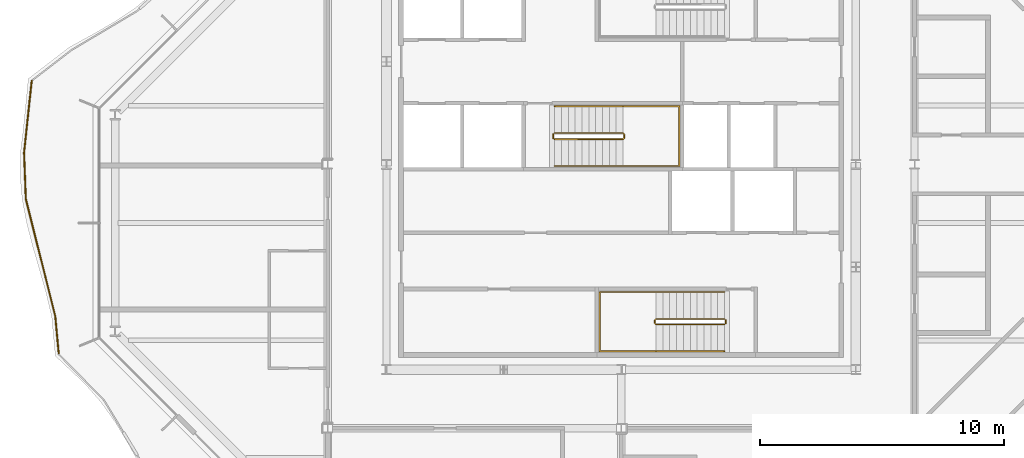
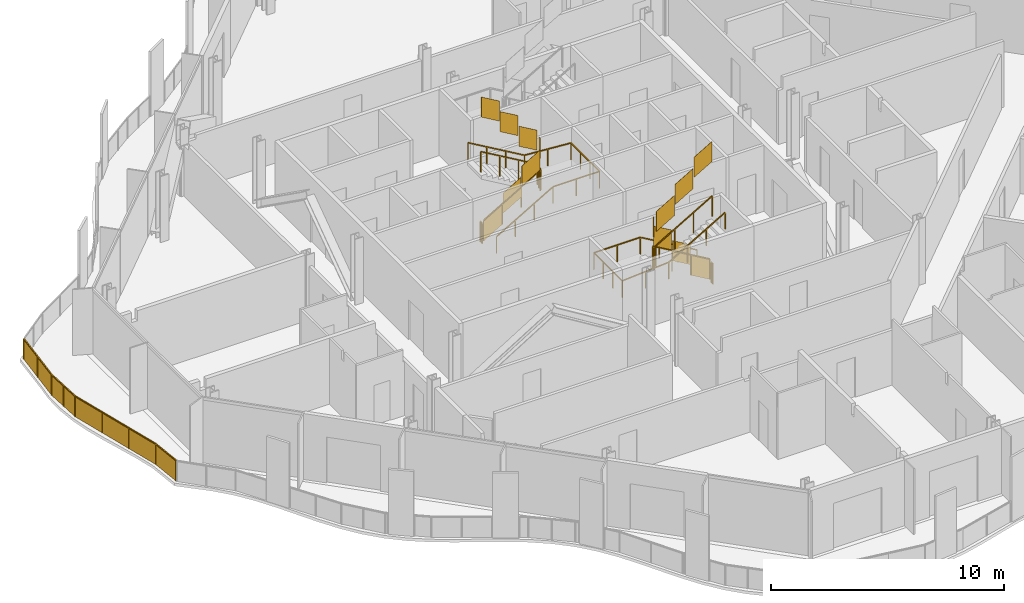
# One storey, part 14 of 17: 7 railings.
"""IFC4 building model written with IfcOpenShell, lengths in metres."""

from ifc_helpers import new_model, si_unit, direction, frame, origin, origin_2d, place, context, subcontext, project, spatial, polyline, rectangle, outline, extrude, material, type_object, element, save


model = new_model("IFC4")

# Units and contexts
model_context = context("Model", 3, precision=1e-05, world=origin(), true_north=direction((0.0, 1.0)))
body_context = subcontext(model_context, "Body", "Model", "MODEL_VIEW")
ifc_project = project(units=[si_unit("LENGTHUNIT", "METRE"), si_unit("AREAUNIT", "SQUARE_METRE"), si_unit("VOLUMEUNIT", "CUBIC_METRE"), si_unit("PLANEANGLEUNIT", "RADIAN"), si_unit("MASSUNIT", "GRAM", prefix="KILO")], contexts=[model_context])

# Site, building, storey
site_placement = place(None, origin())
site = spatial("IfcSite", under=ifc_project, at=site_placement, CompositionType="ELEMENT")
building_placement = place(site_placement, origin())
building = spatial("IfcBuilding", under=site, at=building_placement, Name="Cairn Pilgrim Tower", CompositionType="ELEMENT")
storey_placement = place(building_placement, frame((0.0, 0.0, 221.39990234375)))
storey = spatial("IfcBuildingStorey", under=building, at=storey_placement, Name="L56", CompositionType="ELEMENT", Elevation=221.39990234375)

# Railings
ifc_material_1 = material(Name="Bronze anodised aluminium rail and posts with laminated glass infill", Category="aluminium")
railing_type_1 = type_object("IfcRailingType", Name="BALCONY GUARD 1100", PredefinedType="GUARDRAIL", material=ifc_material_1)
railing_1_placement = place(storey_placement, frame((-16.9140625, 5.820556640625, 0.0)))
element("IfcRailing", 1, at=railing_1_placement, inside=storey, type_object=railing_type_1, Name="Balcony guard BG-6", PredefinedType="GUARDRAIL", context=body_context, shape_type="SweptSolid", body=[
    extrude(rectangle(XDim=0.050048828125, YDim=0.050048828125, at=origin_2d()), frame((0.0, 0.0, 1.0751953125), z_axis=(-0.105825935837, -0.994384669685, 0.0), x_axis=(0.994384669685, -0.105825935837, 0.0)), (0.0, 0.0, 1.0), 2.962158203125),
    extrude(rectangle(XDim=0.050048828125, YDim=0.050048828125, at=origin_2d()), frame((-0.3134765625, -2.945556640625, 1.0751953125), z_axis=(0.038136239622, -0.999272549021, 0.0), x_axis=(0.999272549021, 0.038136239622, 0.0)), (0.0, 0.0, 1.0), 1.89501953125),
    extrude(rectangle(XDim=0.050048828125, YDim=0.050048828125, at=origin_2d()), frame((-0.2412109375, -4.839111328125, 1.0751953125), z_axis=(0.243499699472, -0.969900972449, 0.0), x_axis=(0.969900972449, 0.243499699472, 0.0)), (0.0, 0.0, 1.0), 4.945068359375),
    extrude(rectangle(XDim=0.050048828125, YDim=0.050048828125, at=origin_2d()), frame((0.962890625, -9.63525390625, 1.0751953125), z_axis=(0.092507572588, -0.995711980953, 0.0), x_axis=(0.995711980953, 0.092507572588, 0.0)), (0.0, 0.0, 1.0), 1.5068359375),
    extrude(rectangle(XDim=0.050048828125, YDim=0.050048828125, at=origin_2d()), origin(), (0.0, 0.0, 1.0), 1.050048828125),
    extrude(rectangle(XDim=0.050048828125, YDim=0.050048828125, at=origin_2d()), frame((-0.15673828125, -1.47265625, 0.0)), (0.0, 0.0, 1.0), 1.050048828125),
    extrude(rectangle(XDim=0.050048828125, YDim=0.050048828125, at=origin_2d()), frame((-0.3134765625, -2.945556640625, 0.0)), (0.0, 0.0, 1.0), 1.050048828125),
    extrude(rectangle(XDim=0.050048828125, YDim=0.050048828125, at=origin_2d()), frame((-0.27734375, -3.892333984375, 0.0)), (0.0, 0.0, 1.0), 1.050048828125),
    extrude(rectangle(XDim=0.050048828125, YDim=0.050048828125, at=origin_2d()), frame((-0.2412109375, -4.839111328125, 0.0)), (0.0, 0.0, 1.0), 1.050048828125),
    extrude(rectangle(XDim=0.050048828125, YDim=0.050048828125, at=origin_2d()), frame((0.16015625, -6.437744140625, 0.0)), (0.0, 0.0, 1.0), 1.050048828125),
    extrude(rectangle(XDim=0.050048828125, YDim=0.050048828125, at=origin_2d()), frame((0.5615234375, -8.03662109375, 0.0)), (0.0, 0.0, 1.0), 1.050048828125),
    extrude(rectangle(XDim=0.050048828125, YDim=0.050048828125, at=origin_2d()), frame((0.962890625, -9.63525390625, 0.0)), (0.0, 0.0, 1.0), 1.050048828125),
    extrude(rectangle(XDim=0.050048828125, YDim=0.050048828125, at=origin_2d()), frame((1.102294921875, -11.1357421875, 0.0)), (0.0, 0.0, 1.0), 1.050048828125),
    extrude(outline(polyline([(0.02490234375, 0.0), (1.4560546875, 0.0), (1.4560546875, 1.050048828125), (0.02490234375, 1.050048828125), (0.02490234375, 0.0)])), frame((0.005859375, -0.000732421875, 0.0), z_axis=(-0.994384669685, 0.105825935837, 0.0), x_axis=(-0.105825935837, -0.994384669685, 0.0)), (0.0, 0.0, 1.0), 0.011962890625),
    extrude(outline(polyline([(0.02490234375, 0.0), (1.4560546875, 0.0), (1.4560546875, 1.050048828125), (0.02490234375, 1.050048828125), (0.02490234375, 0.0)])), frame((-0.15087890625, -1.473388671875, 0.0), z_axis=(-0.994384669685, 0.105825935837, 0.0), x_axis=(-0.105825935837, -0.994384669685, 0.0)), (0.0, 0.0, 1.0), 0.011962890625),
    extrude(outline(polyline([(0.02490234375, 0.0), (0.92236328125, 0.0), (0.92236328125, 1.050048828125), (0.02490234375, 1.050048828125), (0.02490234375, 0.0)])), frame((-0.3076171875, -2.9453125, 0.0), z_axis=(-0.999272549021, -0.038136239622, 0.0), x_axis=(0.038136239622, -0.999272549021, 0.0)), (0.0, 0.0, 1.0), 0.011962890625),
    extrude(outline(polyline([(0.02490234375, 0.0), (0.92236328125, 0.0), (0.92236328125, 1.050048828125), (0.02490234375, 1.050048828125), (0.02490234375, 0.0)])), frame((-0.271484375, -3.89208984375, 0.0), z_axis=(-0.999272549021, -0.038136239622, 0.0), x_axis=(0.038136239622, -0.999272549021, 0.0)), (0.0, 0.0, 1.0), 0.011962890625),
    extrude(outline(polyline([(0.02490234375, 0.0), (1.623291015625, 0.0), (1.623291015625, 1.050048828125), (0.02490234375, 1.050048828125), (0.02490234375, 0.0)])), frame((-0.2353515625, -4.837646484375, 0.0), z_axis=(-0.969900972449, -0.243499699472, 0.0), x_axis=(0.243499699472, -0.969900972449, 0.0)), (0.0, 0.0, 1.0), 0.011962890625),
    extrude(outline(polyline([(0.02490234375, 0.0), (1.623291015625, 0.0), (1.623291015625, 1.050048828125), (0.02490234375, 1.050048828125), (0.02490234375, 0.0)])), frame((0.166015625, -6.436279296875, 0.0), z_axis=(-0.969900972449, -0.243499699472, 0.0), x_axis=(0.243499699472, -0.969900972449, 0.0)), (0.0, 0.0, 1.0), 0.011962890625),
    extrude(outline(polyline([(0.02490234375, 0.0), (1.623291015625, 0.0), (1.623291015625, 1.050048828125), (0.02490234375, 1.050048828125), (0.02490234375, 0.0)])), frame((0.5673828125, -8.03515625, 0.0), z_axis=(-0.969900972449, -0.243499699472, 0.0), x_axis=(0.243499699472, -0.969900972449, 0.0)), (0.0, 0.0, 1.0), 0.011962890625),
    extrude(outline(polyline([(0.02490234375, 0.0), (1.48193359375, 0.0), (1.48193359375, 1.050048828125), (0.02490234375, 1.050048828125), (0.02490234375, 0.0)])), frame((0.96875, -9.634765625, 0.0), z_axis=(-0.995711980953, -0.092507572588, 0.0), x_axis=(0.092507572588, -0.995711980953, 0.0)), (0.0, 0.0, 1.0), 0.011962890625),
])
ifc_material_2 = material(Name="Painted steel", Category="steel")
railing_type_2 = type_object("IfcRailingType", Name="STAIR GUARD 1100", PredefinedType="GUARDRAIL", material=ifc_material_2)
railing_2_placement = place(storey_placement, frame((11.425048828125, -3.925048828125, 0.163818359375)))
element("IfcRailing", 2, at=railing_2_placement, inside=storey, type_object=railing_type_2, Name="L56 ST-A stair guard 1", PredefinedType="GUARDRAIL", context=body_context, shape_type="SweptSolid", body=[
    extrude(rectangle(XDim=0.048095703125, YDim=0.048095703125, at=origin_2d()), frame((0.0, 0.0, 1.076171875), z_axis=(-0.863393664356, 0.0, 0.504530851732), x_axis=(0.0, -1.0, 0.0)), (0.0, 0.0, 1.0), 3.2431640625),
    extrude(rectangle(XDim=0.048095703125, YDim=0.048095703125, at=origin_2d()), frame((-2.800048828125, 0.0, 2.71240234375), z_axis=(-0.707106781187, -0.707106781187, 0.0), x_axis=(0.707106781187, -0.707106781187, 0.0)), (0.0, 0.0, 1.0), 0.07080078125),
    extrude(rectangle(XDim=0.048095703125, YDim=0.048095703125, at=origin_2d()), frame((-2.85009765625, -0.050048828125, 2.71240234375), z_axis=(0.0, -1.0, 0.0), x_axis=(1.0, 0.0, 0.0)), (0.0, 0.0, 1.0), 0.125),
    extrude(rectangle(XDim=0.048095703125, YDim=0.048095703125, at=origin_2d()), frame((-2.85009765625, -0.175048828125, 2.71240234375), z_axis=(0.280916556609, -0.279546231943, 0.91811752648), x_axis=(0.705375805398, 0.708833529934, 0.0)), (0.0, 0.0, 1.0), 0.17822265625),
    extrude(rectangle(XDim=0.048095703125, YDim=0.048095703125, at=origin_2d()), frame((-2.800048828125, -0.224853515625, 2.8759765625), z_axis=(0.863360870873, 0.0, 0.504586966384), x_axis=(0.0, 1.0, 0.0)), (0.0, 0.0, 1.0), 3.2431640625),
    extrude(rectangle(XDim=0.0419921875, YDim=0.0419921875, at=origin_2d()), origin(), (0.0, 0.0, 1.0), 1.052001953125),
    extrude(rectangle(XDim=0.0419921875, YDim=0.0419921875, at=origin_2d()), frame((-0.933349609375, 0.0, 0.54541015625)), (0.0, 0.0, 1.0), 1.052001953125),
    extrude(rectangle(XDim=0.0419921875, YDim=0.0419921875, at=origin_2d()), frame((-1.86669921875, 0.0, 1.0908203125)), (0.0, 0.0, 1.0), 1.052001953125),
    extrude(rectangle(XDim=0.0419921875, YDim=0.0419921875, at=origin_2d()), frame((-2.800048828125, 0.0, 1.63623046875)), (0.0, 0.0, 1.0), 1.052001953125),
    extrude(rectangle(XDim=0.0419921875, YDim=0.0419921875, at=origin_2d()), frame((-2.85009765625, -0.050048828125, 1.63623046875)), (0.0, 0.0, 1.0), 1.052001953125),
    extrude(rectangle(XDim=0.0419921875, YDim=0.0419921875, at=origin_2d()), frame((-2.85009765625, -0.175048828125, 1.63623046875)), (0.0, 0.0, 1.0), 1.052001953125),
    extrude(rectangle(XDim=0.0419921875, YDim=0.0419921875, at=origin_2d()), frame((-2.800048828125, -0.224853515625, 1.7998046875)), (0.0, 0.0, 1.0), 1.052001953125),
    extrude(rectangle(XDim=0.0419921875, YDim=0.0419921875, at=origin_2d()), frame((-1.86669921875, -0.224853515625, 2.34521484375)), (0.0, 0.0, 1.0), 1.052001953125),
    extrude(rectangle(XDim=0.0419921875, YDim=0.0419921875, at=origin_2d()), frame((-0.933349609375, -0.224853515625, 2.890869140625)), (0.0, 0.0, 1.0), 1.052001953125),
    extrude(rectangle(XDim=0.0419921875, YDim=0.0419921875, at=origin_2d()), frame((0.0, -0.224853515625, 3.436279296875)), (0.0, 0.0, 1.0), 1.052001953125),
    extrude(outline(polyline([(0.02099609375, 0.01220703125), (0.912353515625, 0.533203125), (0.912353515625, 1.585205078125), (0.02099609375, 1.064208984375), (0.02099609375, 0.01220703125)])), frame((0.0, -0.005859375, 0.0), z_axis=(0.0, 1.0, 0.0), x_axis=(-1.0, 0.0, 0.0)), (0.0, 0.0, 1.0), 0.011962890625),
    extrude(outline(polyline([(0.02099609375, 0.5576171875), (0.912353515625, 1.07861328125), (0.912353515625, 2.130615234375), (0.02099609375, 1.609619140625), (0.02099609375, 0.5576171875)])), frame((-0.933349609375, -0.005859375, 0.54541015625), z_axis=(0.0, 1.0, 0.0), x_axis=(-1.0, 0.0, 0.0)), (0.0, 0.0, 1.0), 0.011962890625),
    extrude(outline(polyline([(0.02099609375, 1.10302734375), (0.912353515625, 1.6240234375), (0.912353515625, 2.676025390625), (0.02099609375, 2.155029296875), (0.02099609375, 1.10302734375)])), frame((-1.86669921875, -0.005859375, 1.0908203125), z_axis=(0.0, 1.0, 0.0), x_axis=(-1.0, 0.0, 0.0)), (0.0, 0.0, 1.0), 0.011962890625),
    extrude(outline(polyline([(0.02099609375, 1.63623046875), (0.10400390625, 1.63623046875), (0.10400390625, 2.688232421875), (0.02099609375, 2.688232421875), (0.02099609375, 1.63623046875)])), frame((-2.84423828125, -0.050048828125, 1.63623046875), z_axis=(-1.0, 0.0, 0.0), x_axis=(0.0, -1.0, 0.0)), (0.0, 0.0, 1.0), 0.011962890625),
    extrude(outline(polyline([(0.02099609375, 1.81201171875), (0.912353515625, 2.3330078125), (0.912353515625, 3.385009765625), (0.02099609375, 2.864013671875), (0.02099609375, 1.81201171875)])), frame((-2.800048828125, -0.21875, 1.7998046875), z_axis=(0.0, -1.0, 0.0), x_axis=(1.0, 0.0, 0.0)), (0.0, 0.0, 1.0), 0.011962890625),
    extrude(outline(polyline([(0.02099609375, 2.357666015625), (0.912353515625, 2.87841796875), (0.912353515625, 3.930419921875), (0.02099609375, 3.40966796875), (0.02099609375, 2.357666015625)])), frame((-1.86669921875, -0.21875, 2.34521484375), z_axis=(0.0, -1.0, 0.0), x_axis=(1.0, 0.0, 0.0)), (0.0, 0.0, 1.0), 0.011962890625),
    extrude(outline(polyline([(0.02099609375, 2.903076171875), (0.912353515625, 3.424072265625), (0.912353515625, 4.47607421875), (0.02099609375, 3.955078125), (0.02099609375, 2.903076171875)])), frame((-0.933349609375, -0.21875, 2.890869140625), z_axis=(0.0, -1.0, 0.0), x_axis=(1.0, 0.0, 0.0)), (0.0, 0.0, 1.0), 0.011962890625),
])
railing_3_placement = place(storey_placement, frame((11.47509765625, -3.97509765625, 0.0)))
element("IfcRailing", 3, at=railing_3_placement, inside=storey, type_object=railing_type_2, Name="L56 ST-A stair guard 2", PredefinedType="GUARDRAIL", context=body_context, shape_type="SweptSolid", body=[
    extrude(rectangle(XDim=0.048095703125, YDim=0.048095703125, at=origin_2d()), frame((0.0, 0.0, 1.076171875), z_axis=(0.0, -1.0, 0.0), x_axis=(1.0, 0.0, 0.0)), (0.0, 0.0, 1.0), 0.125),
    extrude(rectangle(XDim=0.0419921875, YDim=0.0419921875, at=origin_2d()), origin(), (0.0, 0.0, 1.0), 1.052001953125),
    extrude(rectangle(XDim=0.0419921875, YDim=0.0419921875, at=origin_2d()), frame((0.0, -0.125, 0.0)), (0.0, 0.0, 1.0), 1.052001953125),
    extrude(outline(polyline([(0.02099609375, 0.0), (0.10400390625, 0.0), (0.10400390625, 1.052001953125), (0.02099609375, 1.052001953125), (0.02099609375, 0.0)])), frame((0.005859375, 0.0, 0.0), z_axis=(-1.0, 0.0, 0.0), x_axis=(0.0, -1.0, 0.0)), (0.0, 0.0, 1.0), 0.011962890625),
])
railing_4_placement = place(storey_placement, frame((4.47509765625, 3.425048828125, 0.163818359375)))
element("IfcRailing", 4, at=railing_4_placement, inside=storey, type_object=railing_type_2, Name="L56 ST-B stair guard 1", PredefinedType="GUARDRAIL", context=body_context, shape_type="SweptSolid", body=[
    extrude(rectangle(XDim=0.048095703125, YDim=0.048095703125, at=origin_2d()), frame((0.0, 0.0, 1.076171875), z_axis=(0.863374499697, 0.0, 0.504563646405), x_axis=(0.0, 1.0, 0.0)), (0.0, 0.0, 1.0), 3.242919921875),
    extrude(rectangle(XDim=0.048095703125, YDim=0.048095703125, at=origin_2d()), frame((2.7998046875, 0.0, 2.71240234375), z_axis=(0.707106781187, 0.707106781187, 0.0), x_axis=(-0.707106781187, 0.707106781187, 0.0)), (0.0, 0.0, 1.0), 0.07080078125),
    extrude(rectangle(XDim=0.048095703125, YDim=0.048095703125, at=origin_2d()), frame((2.849853515625, 0.050048828125, 2.71240234375), z_axis=(0.0, 1.0, 0.0), x_axis=(-1.0, 0.0, 0.0)), (0.0, 0.0, 1.0), 0.14990234375),
    extrude(rectangle(XDim=0.048095703125, YDim=0.048095703125, at=origin_2d()), frame((2.849853515625, 0.199951171875, 2.71240234375), z_axis=(-0.280808744504, 0.280808744504, 0.917765164963), x_axis=(-0.707106781187, -0.707106781187, 0.0)), (0.0, 0.0, 1.0), 0.17822265625),
    extrude(rectangle(XDim=0.048095703125, YDim=0.048095703125, at=origin_2d()), frame((2.7998046875, 0.25, 2.8759765625), z_axis=(-0.863341702679, 0.0, 0.504619762213), x_axis=(0.0, -1.0, 0.0)), (0.0, 0.0, 1.0), 3.242919921875),
    extrude(rectangle(XDim=0.0419921875, YDim=0.0419921875, at=origin_2d()), origin(), (0.0, 0.0, 1.0), 1.052001953125),
    extrude(rectangle(XDim=0.0419921875, YDim=0.0419921875, at=origin_2d()), frame((0.933349609375, 0.0, 0.54541015625)), (0.0, 0.0, 1.0), 1.052001953125),
    extrude(rectangle(XDim=0.0419921875, YDim=0.0419921875, at=origin_2d()), frame((1.866455078125, 0.0, 1.0908203125)), (0.0, 0.0, 1.0), 1.052001953125),
    extrude(rectangle(XDim=0.0419921875, YDim=0.0419921875, at=origin_2d()), frame((2.7998046875, 0.0, 1.63623046875)), (0.0, 0.0, 1.0), 1.052001953125),
    extrude(rectangle(XDim=0.0419921875, YDim=0.0419921875, at=origin_2d()), frame((2.849853515625, 0.050048828125, 1.63623046875)), (0.0, 0.0, 1.0), 1.052001953125),
    extrude(rectangle(XDim=0.0419921875, YDim=0.0419921875, at=origin_2d()), frame((2.849853515625, 0.199951171875, 1.63623046875)), (0.0, 0.0, 1.0), 1.052001953125),
    extrude(rectangle(XDim=0.0419921875, YDim=0.0419921875, at=origin_2d()), frame((2.7998046875, 0.25, 1.7998046875)), (0.0, 0.0, 1.0), 1.052001953125),
    extrude(rectangle(XDim=0.0419921875, YDim=0.0419921875, at=origin_2d()), frame((1.866455078125, 0.25, 2.34521484375)), (0.0, 0.0, 1.0), 1.052001953125),
    extrude(rectangle(XDim=0.0419921875, YDim=0.0419921875, at=origin_2d()), frame((0.933349609375, 0.25, 2.890869140625)), (0.0, 0.0, 1.0), 1.052001953125),
    extrude(rectangle(XDim=0.0419921875, YDim=0.0419921875, at=origin_2d()), frame((0.0, 0.25, 3.436279296875)), (0.0, 0.0, 1.0), 1.052001953125),
    extrude(outline(polyline([(0.02099609375, 0.01220703125), (0.912353515625, 0.533203125), (0.912353515625, 1.585205078125), (0.02099609375, 1.064208984375), (0.02099609375, 0.01220703125)])), frame((0.0, 0.005859375, 0.0), z_axis=(0.0, -1.0, 0.0), x_axis=(1.0, 0.0, 0.0)), (0.0, 0.0, 1.0), 0.011962890625),
    extrude(outline(polyline([(0.02099609375, 0.5576171875), (0.912353515625, 1.07861328125), (0.912353515625, 2.130615234375), (0.02099609375, 1.609619140625), (0.02099609375, 0.5576171875)])), frame((0.933349609375, 0.005859375, 0.54541015625), z_axis=(0.0, -1.0, 0.0), x_axis=(1.0, 0.0, 0.0)), (0.0, 0.0, 1.0), 0.011962890625),
    extrude(outline(polyline([(0.02099609375, 1.10302734375), (0.912353515625, 1.6240234375), (0.912353515625, 2.676025390625), (0.02099609375, 2.155029296875), (0.02099609375, 1.10302734375)])), frame((1.866455078125, 0.005859375, 1.0908203125), z_axis=(0.0, -1.0, 0.0), x_axis=(1.0, 0.0, 0.0)), (0.0, 0.0, 1.0), 0.011962890625),
    extrude(outline(polyline([(0.02099609375, 1.63623046875), (0.12890625, 1.63623046875), (0.12890625, 2.688232421875), (0.02099609375, 2.688232421875), (0.02099609375, 1.63623046875)])), frame((2.84375, 0.050048828125, 1.63623046875), z_axis=(1.0, 0.0, 0.0), x_axis=(0.0, 1.0, 0.0)), (0.0, 0.0, 1.0), 0.011962890625),
    extrude(outline(polyline([(0.02099609375, 1.81201171875), (0.912353515625, 2.3330078125), (0.912353515625, 3.385009765625), (0.02099609375, 2.864013671875), (0.02099609375, 1.81201171875)])), frame((2.7998046875, 0.244140625, 1.7998046875), z_axis=(0.0, 1.0, 0.0), x_axis=(-1.0, 0.0, 0.0)), (0.0, 0.0, 1.0), 0.011962890625),
    extrude(outline(polyline([(0.02099609375, 2.357666015625), (0.912353515625, 2.87841796875), (0.912353515625, 3.930419921875), (0.02099609375, 3.40966796875), (0.02099609375, 2.357666015625)])), frame((1.866455078125, 0.244140625, 2.34521484375), z_axis=(0.0, 1.0, 0.0), x_axis=(-1.0, 0.0, 0.0)), (0.0, 0.0, 1.0), 0.011962890625),
    extrude(outline(polyline([(0.02099609375, 2.903076171875), (0.912353515625, 3.424072265625), (0.912353515625, 4.47607421875), (0.02099609375, 3.955078125), (0.02099609375, 2.903076171875)])), frame((0.933349609375, 0.244140625, 2.890869140625), z_axis=(0.0, 1.0, 0.0), x_axis=(-1.0, 0.0, 0.0)), (0.0, 0.0, 1.0), 0.011962890625),
])
railing_5_placement = place(storey_placement, frame((4.425048828125, 3.47509765625, 0.0)))
element("IfcRailing", 5, at=railing_5_placement, inside=storey, type_object=railing_type_2, Name="L56 ST-B stair guard 2", PredefinedType="GUARDRAIL", context=body_context, shape_type="SweptSolid", body=[
    extrude(rectangle(XDim=0.048095703125, YDim=0.048095703125, at=origin_2d()), frame((0.0, 0.0, 1.076171875), z_axis=(0.0, 1.0, 0.0), x_axis=(-1.0, 0.0, 0.0)), (0.0, 0.0, 1.0), 0.14990234375),
    extrude(rectangle(XDim=0.0419921875, YDim=0.0419921875, at=origin_2d()), origin(), (0.0, 0.0, 1.0), 1.052001953125),
    extrude(rectangle(XDim=0.0419921875, YDim=0.0419921875, at=origin_2d()), frame((0.0, 0.14990234375, 0.0)), (0.0, 0.0, 1.0), 1.052001953125),
    extrude(outline(polyline([(0.02099609375, 0.0), (0.12890625, 0.0), (0.12890625, 1.052001953125), (0.02099609375, 1.052001953125), (0.02099609375, 0.0)])), frame((-0.005859375, 0.0, 0.0), z_axis=(1.0, 0.0, 0.0), x_axis=(0.0, 1.0, 0.0)), (0.0, 0.0, 1.0), 0.011962890625),
])
railing_type_3 = type_object("IfcRailingType", Name="STAIR HANDRAIL 900", PredefinedType="HANDRAIL", material=ifc_material_2)
railing_6_placement = place(storey_placement, frame((11.425048828125, -2.824951171875, 0.163818359375)))
element("IfcRailing", 6, at=railing_6_placement, inside=storey, type_object=railing_type_3, Name="L56 ST-A stair handrail 1", PredefinedType="HANDRAIL", context=body_context, shape_type="SweptSolid", body=[
    extrude(rectangle(XDim=0.048095703125, YDim=0.048095703125, at=origin_2d()), frame((0.0, 0.0, 0.8759765625), z_axis=(-0.863393664356, 0.0, 0.504530851732), x_axis=(0.0, -1.0, 0.0)), (0.0, 0.0, 1.0), 3.2431640625),
    extrude(rectangle(XDim=0.048095703125, YDim=0.048095703125, at=origin_2d()), frame((-2.800048828125, 0.0, 2.51220703125), z_axis=(-1.0, 0.0, 0.0), x_axis=(0.0, -1.0, 0.0)), (0.0, 0.0, 1.0), 2.300048828125),
    extrude(rectangle(XDim=0.048095703125, YDim=0.048095703125, at=origin_2d()), frame((-5.10009765625, 0.0, 2.51220703125), z_axis=(0.0, -1.0, 0.0), x_axis=(1.0, 0.0, 0.0)), (0.0, 0.0, 1.0), 2.425048828125),
    extrude(rectangle(XDim=0.048095703125, YDim=0.048095703125, at=origin_2d()), frame((-5.10009765625, -2.425048828125, 2.51220703125), z_axis=(0.997480687736, 0.0, 0.070938548008), x_axis=(0.0, 1.0, 0.0)), (0.0, 0.0, 1.0), 2.305908203125),
    extrude(rectangle(XDim=0.048095703125, YDim=0.048095703125, at=origin_2d()), frame((-2.800048828125, -2.425048828125, 2.67578125), z_axis=(0.863360870873, 0.0, 0.504586966384), x_axis=(0.0, 1.0, 0.0)), (0.0, 0.0, 1.0), 3.2431640625),
    extrude(rectangle(XDim=0.0419921875, YDim=0.0419921875, at=origin_2d()), origin(), (0.0, 0.0, 1.0), 0.851806640625),
    extrude(rectangle(XDim=0.0419921875, YDim=0.0419921875, at=origin_2d()), frame((-0.933349609375, 0.0, 0.54541015625)), (0.0, 0.0, 1.0), 0.851806640625),
    extrude(rectangle(XDim=0.0419921875, YDim=0.0419921875, at=origin_2d()), frame((-1.86669921875, 0.0, 1.0908203125)), (0.0, 0.0, 1.0), 0.851806640625),
    extrude(rectangle(XDim=0.0419921875, YDim=0.0419921875, at=origin_2d()), frame((-2.800048828125, 0.0, 1.63623046875)), (0.0, 0.0, 1.0), 0.851806640625),
    extrude(rectangle(XDim=0.0419921875, YDim=0.0419921875, at=origin_2d()), frame((-3.9501953125, 0.0, 1.63623046875)), (0.0, 0.0, 1.0), 0.851806640625),
    extrude(rectangle(XDim=0.0419921875, YDim=0.0419921875, at=origin_2d()), frame((-5.10009765625, 0.0, 1.63623046875)), (0.0, 0.0, 1.0), 0.851806640625),
    extrude(rectangle(XDim=0.0419921875, YDim=0.0419921875, at=origin_2d()), frame((-5.10009765625, -0.808349609375, 1.63623046875)), (0.0, 0.0, 1.0), 0.851806640625),
    extrude(rectangle(XDim=0.0419921875, YDim=0.0419921875, at=origin_2d()), frame((-5.10009765625, -1.61669921875, 1.63623046875)), (0.0, 0.0, 1.0), 0.851806640625),
    extrude(rectangle(XDim=0.0419921875, YDim=0.0419921875, at=origin_2d()), frame((-5.10009765625, -2.425048828125, 1.63623046875)), (0.0, 0.0, 1.0), 0.851806640625),
    extrude(rectangle(XDim=0.0419921875, YDim=0.0419921875, at=origin_2d()), frame((-3.9501953125, -2.425048828125, 1.718017578125)), (0.0, 0.0, 1.0), 0.851806640625),
    extrude(rectangle(XDim=0.0419921875, YDim=0.0419921875, at=origin_2d()), frame((-2.800048828125, -2.425048828125, 1.7998046875)), (0.0, 0.0, 1.0), 0.851806640625),
    extrude(rectangle(XDim=0.0419921875, YDim=0.0419921875, at=origin_2d()), frame((-1.86669921875, -2.425048828125, 2.34521484375)), (0.0, 0.0, 1.0), 0.851806640625),
    extrude(rectangle(XDim=0.0419921875, YDim=0.0419921875, at=origin_2d()), frame((-0.933349609375, -2.425048828125, 2.890869140625)), (0.0, 0.0, 1.0), 0.851806640625),
    extrude(rectangle(XDim=0.0419921875, YDim=0.0419921875, at=origin_2d()), frame((0.0, -2.425048828125, 3.436279296875)), (0.0, 0.0, 1.0), 0.851806640625),
])
railing_7_placement = place(storey_placement, frame((4.47509765625, 2.324951171875, 0.163818359375)))
element("IfcRailing", 7, at=railing_7_placement, inside=storey, type_object=railing_type_3, Name="L56 ST-B stair handrail 1", PredefinedType="HANDRAIL", context=body_context, shape_type="SweptSolid", body=[
    extrude(rectangle(XDim=0.048095703125, YDim=0.048095703125, at=origin_2d()), frame((0.0, 0.0, 0.8759765625), z_axis=(0.863374499697, 0.0, 0.504563646405), x_axis=(0.0, 1.0, 0.0)), (0.0, 0.0, 1.0), 3.242919921875),
    extrude(rectangle(XDim=0.048095703125, YDim=0.048095703125, at=origin_2d()), frame((2.7998046875, 0.0, 2.51220703125), z_axis=(1.0, 0.0, 0.0), x_axis=(0.0, 1.0, 0.0)), (0.0, 0.0, 1.0), 2.300048828125),
    extrude(rectangle(XDim=0.048095703125, YDim=0.048095703125, at=origin_2d()), frame((5.099853515625, 0.0, 2.51220703125), z_axis=(0.0, 1.0, 0.0), x_axis=(-1.0, 0.0, 0.0)), (0.0, 0.0, 1.0), 2.449951171875),
    extrude(rectangle(XDim=0.048095703125, YDim=0.048095703125, at=origin_2d()), frame((5.099853515625, 2.449951171875, 2.51220703125), z_axis=(-0.997480687736, 0.0, 0.070938548008), x_axis=(0.0, -1.0, 0.0)), (0.0, 0.0, 1.0), 2.305908203125),
    extrude(rectangle(XDim=0.048095703125, YDim=0.048095703125, at=origin_2d()), frame((2.7998046875, 2.449951171875, 2.67578125), z_axis=(-0.863341702679, 0.0, 0.504619762213), x_axis=(0.0, -1.0, 0.0)), (0.0, 0.0, 1.0), 3.242919921875),
    extrude(rectangle(XDim=0.0419921875, YDim=0.0419921875, at=origin_2d()), origin(), (0.0, 0.0, 1.0), 0.851806640625),
    extrude(rectangle(XDim=0.0419921875, YDim=0.0419921875, at=origin_2d()), frame((0.933349609375, 0.0, 0.54541015625)), (0.0, 0.0, 1.0), 0.851806640625),
    extrude(rectangle(XDim=0.0419921875, YDim=0.0419921875, at=origin_2d()), frame((1.866455078125, 0.0, 1.0908203125)), (0.0, 0.0, 1.0), 0.851806640625),
    extrude(rectangle(XDim=0.0419921875, YDim=0.0419921875, at=origin_2d()), frame((2.7998046875, 0.0, 1.63623046875)), (0.0, 0.0, 1.0), 0.851806640625),
    extrude(rectangle(XDim=0.0419921875, YDim=0.0419921875, at=origin_2d()), frame((3.94970703125, 0.0, 1.63623046875)), (0.0, 0.0, 1.0), 0.851806640625),
    extrude(rectangle(XDim=0.0419921875, YDim=0.0419921875, at=origin_2d()), frame((5.099853515625, 0.0, 1.63623046875)), (0.0, 0.0, 1.0), 0.851806640625),
    extrude(rectangle(XDim=0.0419921875, YDim=0.0419921875, at=origin_2d()), frame((5.099853515625, 0.816650390625, 1.63623046875)), (0.0, 0.0, 1.0), 0.851806640625),
    extrude(rectangle(XDim=0.0419921875, YDim=0.0419921875, at=origin_2d()), frame((5.099853515625, 1.63330078125, 1.63623046875)), (0.0, 0.0, 1.0), 0.851806640625),
    extrude(rectangle(XDim=0.0419921875, YDim=0.0419921875, at=origin_2d()), frame((5.099853515625, 2.449951171875, 1.63623046875)), (0.0, 0.0, 1.0), 0.851806640625),
    extrude(rectangle(XDim=0.0419921875, YDim=0.0419921875, at=origin_2d()), frame((3.94970703125, 2.449951171875, 1.718017578125)), (0.0, 0.0, 1.0), 0.851806640625),
    extrude(rectangle(XDim=0.0419921875, YDim=0.0419921875, at=origin_2d()), frame((2.7998046875, 2.449951171875, 1.7998046875)), (0.0, 0.0, 1.0), 0.851806640625),
    extrude(rectangle(XDim=0.0419921875, YDim=0.0419921875, at=origin_2d()), frame((1.866455078125, 2.449951171875, 2.34521484375)), (0.0, 0.0, 1.0), 0.851806640625),
    extrude(rectangle(XDim=0.0419921875, YDim=0.0419921875, at=origin_2d()), frame((0.933349609375, 2.449951171875, 2.890869140625)), (0.0, 0.0, 1.0), 0.851806640625),
    extrude(rectangle(XDim=0.0419921875, YDim=0.0419921875, at=origin_2d()), frame((0.0, 2.449951171875, 3.436279296875)), (0.0, 0.0, 1.0), 0.851806640625),
])

save(model, "model.ifc")
